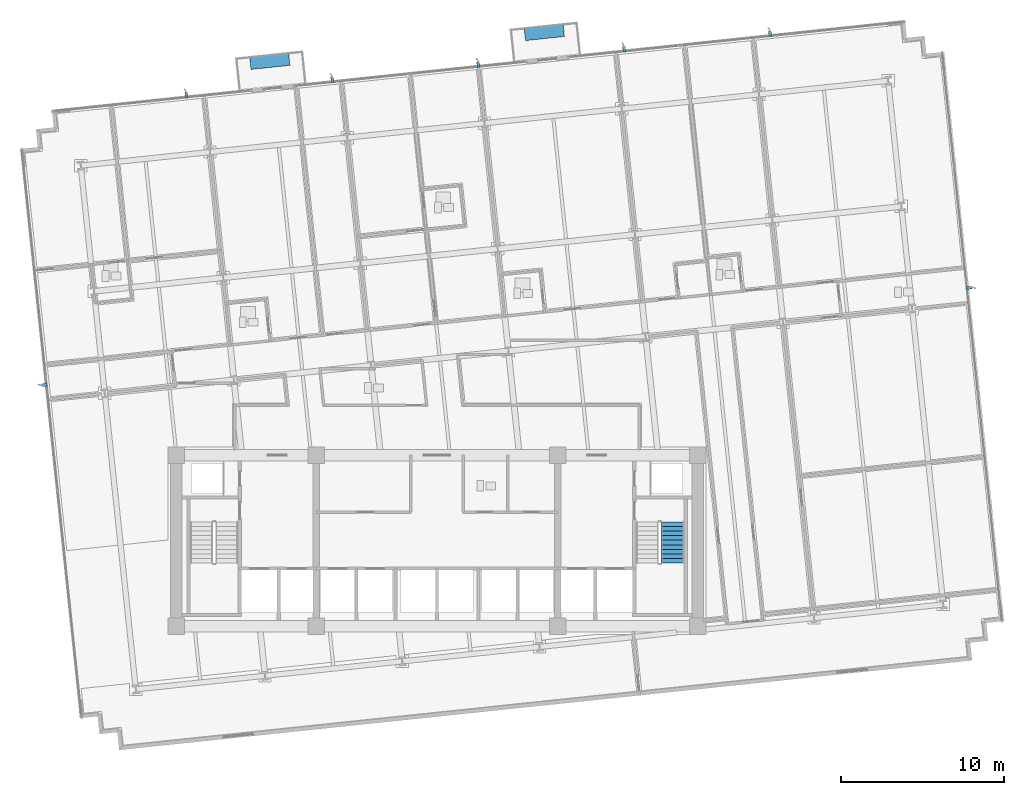
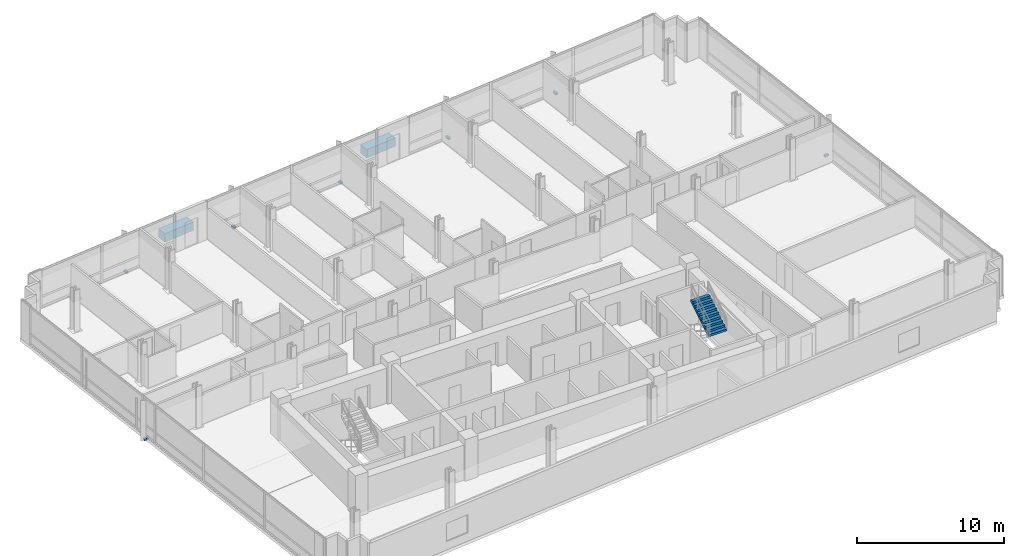
# One storey, part 14 of 20: 9 discrete accessories, 1 stair flight, 1 element without a shape of its own.
"""IFC4 building model written with IfcOpenShell, lengths in metres."""

from ifc_helpers import new_model, si_unit, direction, frame, origin, origin_2d, place, context, subcontext, project, spatial, polyline, rectangle, outline, extrude, material, type_object, element, aggregate, save


model = new_model("IFC4")

# Units and contexts
model_context = context("Model", 3, precision=1e-05, world=origin(), true_north=direction((0.0, 1.0)))
body_context = subcontext(model_context, "Body", "Model", "MODEL_VIEW")
ifc_project = project(units=[si_unit("LENGTHUNIT", "METRE"), si_unit("AREAUNIT", "SQUARE_METRE"), si_unit("VOLUMEUNIT", "CUBIC_METRE"), si_unit("PLANEANGLEUNIT", "RADIAN"), si_unit("MASSUNIT", "GRAM", prefix="KILO")], contexts=[model_context])

# Site, building, storey
site_placement = place(None, origin())
site = spatial("IfcSite", under=ifc_project, at=site_placement, CompositionType="ELEMENT")
building_placement = place(site_placement, origin())
building = spatial("IfcBuilding", under=site, at=building_placement, Name="Solmavex Isthmus Hotel", CompositionType="ELEMENT")
storey_placement = place(building_placement, frame((0.0, 0.0, 87.0)))
storey = spatial("IfcBuildingStorey", under=building, at=storey_placement, Name="L23", CompositionType="ELEMENT", Elevation=87.0)

# Stair, stair flight
ifc_material_1 = material(Name="Concrete C40/50", Category="concrete")
stair_type = type_object("IfcStairType", Name="STR-ST-2", PredefinedType="HALF_TURN_STAIR", material=ifc_material_1)
stair_placement = place(storey_placement, origin())
stair = element("IfcStair", 1, at=stair_placement, inside=storey, type_object=stair_type, Name="L23 Protected Exit Stair ST-2", PredefinedType="HALF_TURN_STAIR")
stair_flight_type = type_object("IfcStairFlightType", Name="SFL-ST-2", PredefinedType="STRAIGHT", material=ifc_material_1)
stair_flight_placement = place(storey_placement, frame((14.449951171875, -9.1201171875, 1.72509765625), z_axis=(0.0, 0.0, 1.0), x_axis=(0.0, 1.0, 0.0)))
stair_flight = element("IfcStairFlight", 2, at=stair_flight_placement, type_object=stair_flight_type, Name="ST-2 flight 2", NumberOfRisers=10, NumberOfTreads=9, PredefinedType="STRAIGHT", RiserHeight=0.1725, TreadLength=0.28, context=body_context, shape_type="SweptSolid", body=[
    extrude(outline(polyline([(0.0, 0.0), (0.0, 0.172607421875), (0.280029296875, 0.172607421875), (0.280029296875, 0.344970703125), (0.56005859375, 0.344970703125), (0.56005859375, 0.517578125), (0.840087890625, 0.517578125), (0.840087890625, 0.68994140625), (1.1201171875, 0.68994140625), (1.1201171875, 0.862548828125), (1.39990234375, 0.862548828125), (1.39990234375, 1.034912109375), (1.679931640625, 1.034912109375), (1.679931640625, 1.20751953125), (1.9599609375, 1.20751953125), (1.9599609375, 1.3798828125), (2.239990234375, 1.3798828125), (2.239990234375, 1.552490234375), (2.52001953125, 1.552490234375), (2.52001953125, 1.72509765625), (2.52001953125, 1.37646484375), (0.285888671875, 0.0), (0.0, 0.0)])), frame((0.0, 0.699951171875, 0.0), z_axis=(0.0, -1.0, 0.0), x_axis=(1.0, 0.0, 0.0)), (0.0, 0.0, 1.0), 1.39990234375),
])
aggregate(stair, [stair_flight])

# Discrete accessories
ifc_material_2 = material(Name="Steel ASTM A572 Grade 50", Category="steel")
discrete_accessory_type_1 = type_object("IfcDiscreteAccessoryType", Name="ACC-BRK-FIN", PredefinedType="BRACKET", material=ifc_material_2)
for number, where, z_axis, x_axis, name in (
    (3, (-15.367919921875, 19.580078125, -0.169921875), (0.0, 0.0, 1.0), (-0.104528463268, 0.994521895368, 0.0), "Facade Fin Support Bracket L23-N1"),
    (4, (-6.417236328125, 20.52099609375, -0.169921875), (0.0, 0.0, 1.0), (-0.104528463268, 0.994521895368, 0.0), "Facade Fin Support Bracket L23-N2"),
    (5, (2.533447265625, 21.461669921875, -0.169921875), (0.0, 0.0, 1.0), (-0.104528463268, 0.994521895368, 0.0), "Facade Fin Support Bracket L23-N3"),
    (6, (11.484130859375, 22.40234375, -0.169921875), (0.0, 0.0, 1.0), (-0.104528463268, 0.994521895368, 0.0), "Facade Fin Support Bracket L23-N4"),
    (7, (20.434814453125, 23.34326171875, -0.169921875), (0.0, 0.0, 1.0), (-0.104528463268, 0.994521895368, 0.0), "Facade Fin Support Bracket L23-N5"),
    (8, (-24.077392578125, 1.802490234375, -0.169921875), (0.0, 0.0, 1.0), (-0.994521895368, -0.104528463268, 0.0), "Facade Fin Support Bracket L23-W1"),
    (9, (32.650146484375, 7.7646484375, -0.169921875), (0.0, 0.0, 1.0), (0.994521895368, 0.104528463268, 0.0), "Facade Fin Support Bracket L23-E1"),
):
    element("IfcDiscreteAccessory", number, at=place(storey_placement, frame(where, z_axis=z_axis, x_axis=x_axis)), inside=storey, type_object=discrete_accessory_type_1, Name=name, PredefinedType="BRACKET", context=body_context, shape_type="SweptSolid", body=[
        extrude(rectangle(XDim=0.340087890625, YDim=0.179931640625, at=origin_2d()), origin(), (0.0, 0.0, 1.0), 0.159912109375),
    ])
ifc_material_3 = material(Name="Precast Concrete C40/50", Category="concrete")
discrete_accessory_type_2 = type_object("IfcDiscreteAccessoryType", Name="ACC-PLN-BALC", PredefinedType="USERDEFINED", material=ifc_material_3)
for number, where, z_axis, x_axis, name in (
    (10, (-10.255859375, 21.656005859375, 0.0), (0.0, 0.0, 1.0), (0.994521895368, 0.104528463268, 0.0), "Tree-Balcony Architectural Planter L23-B1"),
    (11, (6.583251953125, 23.42578125, 0.0), (0.0, 0.0, 1.0), (0.994521895368, 0.104528463268, 0.0), "Tree-Balcony Architectural Planter L23-B2"),
):
    element("IfcDiscreteAccessory", number, at=place(storey_placement, frame(where, z_axis=z_axis, x_axis=x_axis)), inside=storey, type_object=discrete_accessory_type_2, Name=name, ObjectType="PLANTER", PredefinedType="USERDEFINED", context=body_context, shape_type="SweptSolid", body=[
        extrude(rectangle(XDim=2.39990234375, YDim=0.75, at=origin_2d()), origin(), (0.0, 0.0, 1.0), 0.699951171875),
    ])

save(model, "model.ifc")
